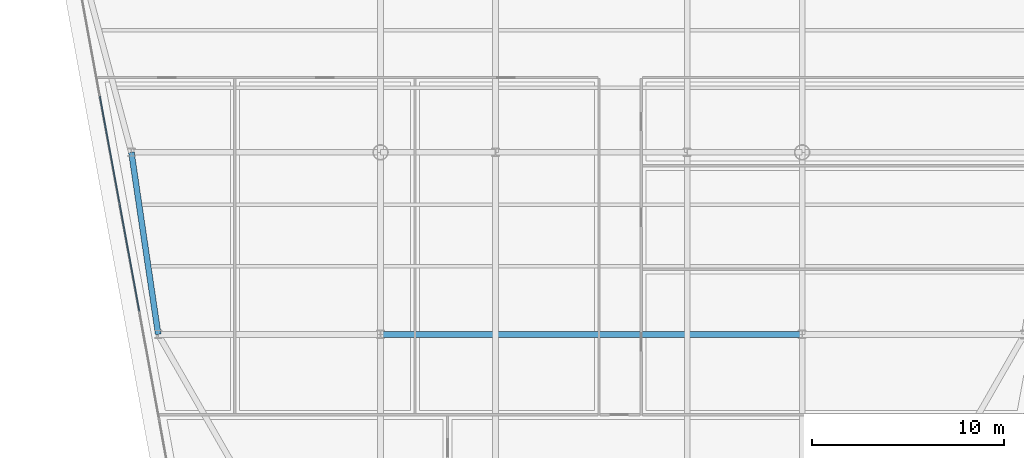
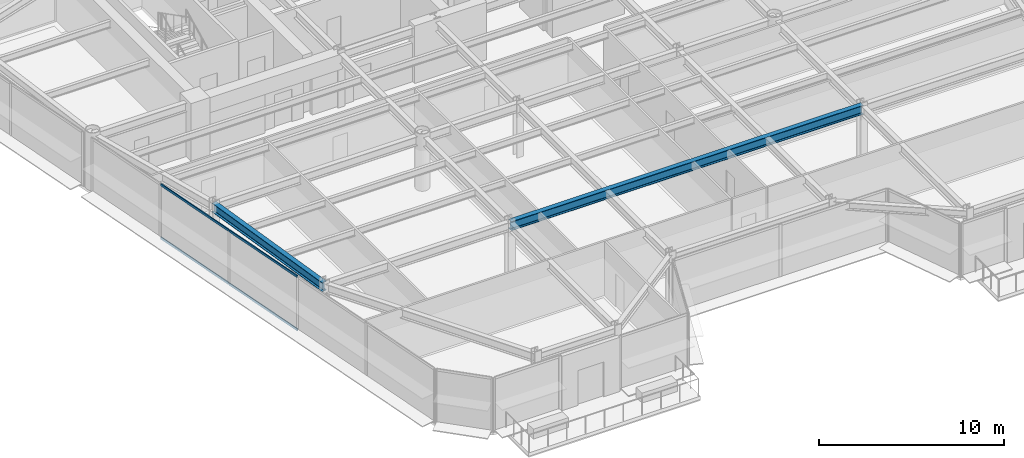
# One storey, part 3 of 17: 4 members, 2 beams, 1 element without a shape of its own.
"""IFC4 building model written with IfcOpenShell, lengths in metres."""

from ifc_helpers import new_model, si_unit, direction, frame, origin, origin_2d, place, context, subcontext, project, spatial, rectangle, i_section, extrude, source, transform, mapped, material, layer, layer_set, material_profile, profile_set, type_object, element, aggregate, save


model = new_model("IFC4")

# Units and contexts
model_context = context("Model", 3, precision=1e-05, world=origin(), true_north=direction((0.0, 1.0)))
body_context = subcontext(model_context, "Body", "Model", "MODEL_VIEW")
ifc_project = project(units=[si_unit("LENGTHUNIT", "METRE"), si_unit("AREAUNIT", "SQUARE_METRE"), si_unit("VOLUMEUNIT", "CUBIC_METRE"), si_unit("PLANEANGLEUNIT", "RADIAN"), si_unit("MASSUNIT", "GRAM", prefix="KILO")], contexts=[model_context])

# Site, building, storey
site_placement = place(None, origin())
site = spatial("IfcSite", under=ifc_project, at=site_placement, CompositionType="ELEMENT")
building_placement = place(site_placement, origin())
building = spatial("IfcBuilding", under=site, at=building_placement, Name="Vaeldorn Concourse Tower", CompositionType="ELEMENT")
storey_placement = place(building_placement, frame((0.0, 0.0, 180.39990234375)))
storey = spatial("IfcBuildingStorey", under=building, at=storey_placement, Name="L46", CompositionType="ELEMENT", Elevation=180.39990234375)

# Beams
ifc_material_1 = material(Name="Steel S355", Category="steel")
ifc_material_profile_1 = material_profile(ifc_material_1, i_section(OverallWidth=0.300048828125, OverallDepth=0.60009765625, WebThickness=0.015380859375, FlangeThickness=0.030029296875, FilletRadius=0.027099609375, at=origin_2d()), Name="HEB 600")
ifc_profile_set_1 = profile_set([ifc_material_profile_1], Name="Steel S355")
beam_type = type_object("IfcBeamType", Name="BM-PG-HEB600", PredefinedType="BEAM", material=ifc_profile_set_1)
shared_shape_1 = source(origin(), body_context, "Body", "SweptSolid", [
    extrude(i_section(OverallWidth=0.300048828125, OverallDepth=0.60009765625, WebThickness=0.015380859375, FlangeThickness=0.030029296875, FilletRadius=0.027099609375, at=origin_2d()), origin(), (0.0, 0.0, 1.0), 9.6025390625),
])
beam_1_placement = place(storey_placement, frame((10.0, 27.5, 3.280029296875), z_axis=(0.145783835977, -0.989316467652, 0.0), x_axis=(0.989316467652, 0.145783835977, 0.0)))
element("IfcBeam", 1, at=beam_1_placement, inside=storey, type_object=beam_type, Name="Beam BM-L46-C-FLW1-C-FLW2", PredefinedType="BEAM", context=body_context, shape_type="MappedRepresentation", body=[
    mapped(shared_shape_1, transform((0.0, 0.0, 0.0), scale=1.0)),
])
shared_shape_2 = source(origin(), body_context, "Body", "SweptSolid", [
    extrude(i_section(OverallWidth=0.300048828125, OverallDepth=0.60009765625, WebThickness=0.015380859375, FlangeThickness=0.030029296875, FilletRadius=0.027099609375, at=origin_2d()), origin(), (0.0, 0.0, 1.0), 22.0),
])
beam_2_placement = place(storey_placement, frame((23.0, 18.0, 3.280029296875), z_axis=(1.0, 0.0, 0.0), x_axis=(0.0, 1.0, 0.0)))
element("IfcBeam", 2, at=beam_2_placement, inside=storey, type_object=beam_type, Name="Beam BM-L46-C-TW5-C-TW6", PredefinedType="BEAM", context=body_context, shape_type="MappedRepresentation", body=[
    mapped(shared_shape_2, transform((0.0, 0.0, 0.0), scale=1.0)),
])

# Curtain wall, members
ifc_material_2 = material(Name="Anodised Bronze Aluminium", Category="aluminium")
ifc_layer = layer(ifc_material_2, 0.2099609375)
ifc_layer_set = layer_set([ifc_layer], Name="Anodised Bronze Aluminium")
curtain_wall_type = type_object("IfcCurtainWallType", Name="CW-SYS-06", PredefinedType="NOTDEFINED", material=ifc_layer_set)
curtain_wall_placement = place(storey_placement, origin())
curtain_wall = element("IfcCurtainWall", 3, at=curtain_wall_placement, inside=storey, type_object=curtain_wall_type, Name="Unitised Curtain Wall CW-L46-E11-2", PredefinedType="NOTDEFINED")
ifc_material_profile_2 = material_profile(ifc_material_2, rectangle(XDim=0.06494140625, YDim=0.14990234375, at=origin_2d()), Name="CWT 65x150")
ifc_profile_set_2 = profile_set([ifc_material_profile_2], Name="Anodised Bronze Aluminium")
member_type = type_object("IfcMemberType", Name="CWT-BRONZE-150", PredefinedType="USERDEFINED", material=ifc_profile_set_2)
shared_shape_3 = source(origin(), body_context, "Body", "SweptSolid", [
    extrude(rectangle(XDim=0.06494140625, YDim=0.14990234375, at=origin_2d()), origin(), (0.0, 0.0, 1.0), 5.666015625),
])
member_1_placement = place(storey_placement, frame((8.357177734375, 30.414794921875, 0.03271484375), z_axis=(0.180587719149, -0.983558882677, 0.0), x_axis=(0.983558882677, 0.180587719149, 0.0)))
member_1 = element("IfcMember", 4, at=member_1_placement, type_object=member_type, Name="CW-06 transom 2.1", ObjectType="TRANSOM", PredefinedType="USERDEFINED", context=body_context, shape_type="MappedRepresentation", body=[
    mapped(shared_shape_3, transform((0.0, 0.0, 0.0), scale=1.0)),
])
member_2_placement = place(storey_placement, frame((8.357177734375, 30.414794921875, 3.547607421875), z_axis=(0.180587719149, -0.983558882677, 0.0), x_axis=(0.983558882677, 0.180587719149, 0.0)))
member_2 = element("IfcMember", 5, at=member_2_placement, type_object=member_type, Name="CW-06 transom 2.2", ObjectType="TRANSOM", PredefinedType="USERDEFINED", context=body_context, shape_type="MappedRepresentation", body=[
    mapped(shared_shape_3, transform((0.0, 0.0, 0.0), scale=1.0)),
])
member_3_placement = place(storey_placement, frame((9.39208984375, 24.778076171875, 0.03271484375), z_axis=(0.180587719149, -0.983558882677, 0.0), x_axis=(0.983558882677, 0.180587719149, 0.0)))
member_3 = element("IfcMember", 6, at=member_3_placement, type_object=member_type, Name="CW-06 transom 3.1", ObjectType="TRANSOM", PredefinedType="USERDEFINED", context=body_context, shape_type="MappedRepresentation", body=[
    mapped(shared_shape_3, transform((0.0, 0.0, 0.0), scale=1.0)),
])
member_4_placement = place(storey_placement, frame((9.39208984375, 24.778076171875, 3.547607421875), z_axis=(0.180587719149, -0.983558882677, 0.0), x_axis=(0.983558882677, 0.180587719149, 0.0)))
member_4 = element("IfcMember", 7, at=member_4_placement, type_object=member_type, Name="CW-06 transom 3.2", ObjectType="TRANSOM", PredefinedType="USERDEFINED", context=body_context, shape_type="MappedRepresentation", body=[
    mapped(shared_shape_3, transform((0.0, 0.0, 0.0), scale=1.0)),
])
aggregate(curtain_wall, [member_1, member_2, member_3, member_4])

save(model, "model.ifc")
